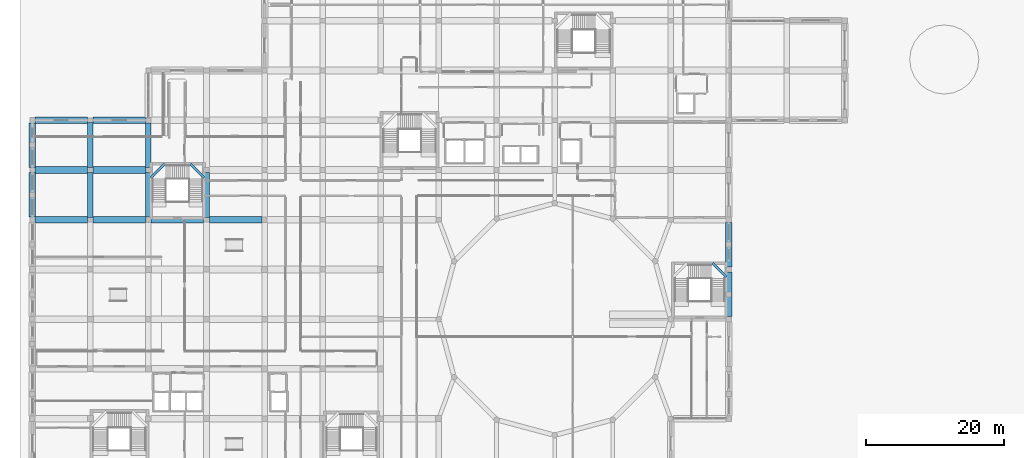
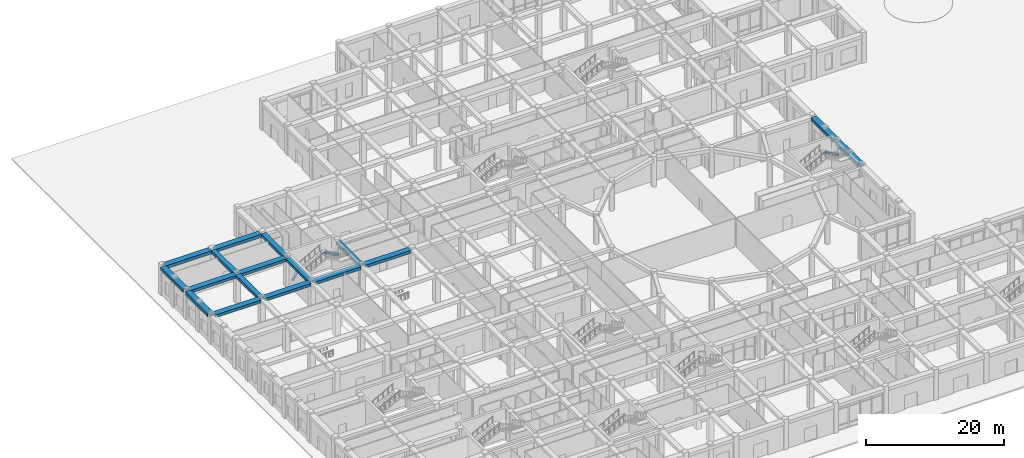
# One storey, part 28 of 84: 20 beams.
"""IFC4 building model written with IfcOpenShell, lengths in metres."""

from ifc_helpers import new_model, si_unit, derived_unit, direction, frame, origin, origin_2d, place, context, subcontext, project, spatial, rectangle, extrude, material, material_profile, profile_set, type_object, element, save


model = new_model("IFC4")

# Units and contexts
model_context = context("Model", 3, precision=1e-05, world=origin(), true_north=direction((0.0, 1.0)))
body_context = subcontext(model_context, "Body", "Model", "MODEL_VIEW")
ifc_project = project(units=[si_unit("LENGTHUNIT", "METRE"), si_unit("AREAUNIT", "SQUARE_METRE"), si_unit("VOLUMEUNIT", "CUBIC_METRE"), si_unit("PLANEANGLEUNIT", "RADIAN"), si_unit("MASSUNIT", "GRAM", prefix="KILO"), derived_unit("THERMALTRANSMITTANCEUNIT", [(si_unit("POWERUNIT", "WATT"), 1), (si_unit("LENGTHUNIT", "METRE"), -2), (si_unit("THERMODYNAMICTEMPERATUREUNIT", "KELVIN"), -1)])], contexts=[model_context])

# Site, building, storey
site_placement = place(None, origin())
site = spatial("IfcSite", under=ifc_project, at=site_placement, CompositionType="ELEMENT")
building_placement = place(site_placement, origin())
building = spatial("IfcBuilding", under=site, at=building_placement, Name="Veybourne Emporium", CompositionType="ELEMENT")
storey_placement = place(building_placement, origin())
storey = spatial("IfcBuildingStorey", under=building, at=storey_placement, Name="L00", CompositionType="ELEMENT", Elevation=0.0)

# Beams
ifc_material = material(Name="Concrete C32/40", Category="concrete")
ifc_material_profile_1 = material_profile(ifc_material, rectangle(XDim=0.35009765625, YDim=0.35009765625, at=origin_2d()), Name="RC 350x350")
ifc_profile_set_1 = profile_set([ifc_material_profile_1], Name="Concrete C32/40")
beam_type_1 = type_object("IfcBeamType", Name="LandingBeam_LB-01", PredefinedType="BEAM", material=ifc_profile_set_1)
for number, where, z_axis, x_axis, name in (
    (1, (98.469970703125, 58.5, 3.22509765625), (0.707106781187, -0.707106781187, 0.0), (0.707106781187, 0.707106781187, 0.0), "L00 ST-07 landing 2 support beam"),
    (2, (17.14990234375, 70.919921875, 1.425048828125), (0.707106781187, 0.707106781187, 0.0), (-0.707106781187, 0.707106781187, 0.0), "L00 ST-08 landing 1 support beam"),
    (3, (22.8701171875, 72.89990234375, 3.22509765625), (0.707106781187, -0.707106781187, 0.0), (0.707106781187, 0.707106781187, 0.0), "L00 ST-08 landing 2 support beam"),
):
    element("IfcBeam", number, at=place(storey_placement, frame(where, z_axis=z_axis, x_axis=x_axis)), inside=storey, type_object=beam_type_1, Name=name, PredefinedType="BEAM", context=body_context, shape_type="SweptSolid", body=[
        extrude(rectangle(XDim=0.35009765625, YDim=0.35009765625, at=origin_2d()), origin(), (0.0, 0.0, 1.0), 2.800048828125),
    ])
ifc_material_profile_2 = material_profile(ifc_material, rectangle(XDim=0.949951171875, YDim=0.5, at=origin_2d()), Name="RC 950x500")
ifc_profile_set_2 = profile_set([ifc_material_profile_2], Name="Concrete C32/40")
beam_type_2 = type_object("IfcBeamType", Name="RCBeam_BB-01", PredefinedType="BEAM", material=ifc_profile_set_2)
for number, where, z_axis, x_axis, name in (
    (4, (0.375, 64.800048828125, 4.830078125), (1.0, 0.0, 0.0), (0.0, 1.0, 0.0), "L00 X-grid beam BB-01 (0,9)"),
    (5, (0.375, 72.0, 4.830078125), (1.0, 0.0, 0.0), (0.0, 1.0, 0.0), "L00 X-grid beam BB-01 (0,10)"),
    (6, (8.800048828125, 64.800048828125, 4.830078125), (1.0, 0.0, 0.0), (0.0, 1.0, 0.0), "L00 X-grid beam BB-01 (1,9)"),
    (7, (8.800048828125, 72.0, 4.830078125), (1.0, 0.0, 0.0), (0.0, 1.0, 0.0), "L00 X-grid beam BB-01 (1,10)"),
    (8, (17.175048828125, 64.800048828125, 4.830078125), (1.0, 0.0, 0.0), (0.0, 1.0, 0.0), "L00 X-grid beam BB-01 (2,9)"),
    (9, (25.60009765625, 64.800048828125, 4.830078125), (1.0, 0.0, 0.0), (0.0, 1.0, 0.0), "L00 X-grid beam BB-01 (3,9)"),
):
    element("IfcBeam", number, at=place(storey_placement, frame(where, z_axis=z_axis, x_axis=x_axis)), inside=storey, type_object=beam_type_2, Name=name, PredefinedType="BEAM", context=body_context, shape_type="SweptSolid", body=[
        extrude(rectangle(XDim=0.949951171875, YDim=0.5, at=origin_2d()), origin(), (0.0, 0.0, 1.0), 7.625),
    ])
ifc_material_profile_3 = material_profile(ifc_material, rectangle(XDim=0.800048828125, YDim=0.5, at=origin_2d()), Name="RC 800x500")
ifc_profile_set_3 = profile_set([ifc_material_profile_3], Name="Concrete C32/40")
beam_type_3 = type_object("IfcBeamType", Name="RCBeam_BB-02", PredefinedType="BEAM", material=ifc_profile_set_3)
for number, where, z_axis, x_axis, name in (
    (10, (8.39990234375, 65.14990234375, 4.830078125), (0.0, 1.0, 0.0), (-1.0, 0.0, 0.0), "L00 Y-grid beam BB-02 (1,9)"),
    (11, (8.39990234375, 72.35009765625, 4.830078125), (0.0, 1.0, 0.0), (-1.0, 0.0, 0.0), "L00 Y-grid beam BB-02 (1,10)"),
):
    element("IfcBeam", number, at=place(storey_placement, frame(where, z_axis=z_axis, x_axis=x_axis)), inside=storey, type_object=beam_type_3, Name=name, PredefinedType="BEAM", context=body_context, shape_type="SweptSolid", body=[
        extrude(rectangle(XDim=0.800048828125, YDim=0.5, at=origin_2d()), origin(), (0.0, 0.0, 1.0), 6.5),
    ])
for number, where, z_axis, x_axis, name in (
    (12, (16.800048828125, 65.175048828125, 4.830078125), (0.0, 1.0, 0.0), (-1.0, 0.0, 0.0), "L00 Y-grid beam BB-02 (2,9)"),
    (13, (16.800048828125, 72.375, 4.830078125), (0.0, 1.0, 0.0), (-1.0, 0.0, 0.0), "L00 Y-grid beam BB-02 (2,10)"),
):
    element("IfcBeam", number, at=place(storey_placement, frame(where, z_axis=z_axis, x_axis=x_axis)), inside=storey, type_object=beam_type_3, Name=name, PredefinedType="BEAM", context=body_context, shape_type="SweptSolid", body=[
        extrude(rectangle(XDim=0.800048828125, YDim=0.5, at=origin_2d()), origin(), (0.0, 0.0, 1.0), 6.449951171875),
    ])
beam_1_placement = place(storey_placement, frame((25.199951171875, 65.14990234375, 4.830078125), z_axis=(0.0, 1.0, 0.0), x_axis=(-1.0, 0.0, 0.0)))
element("IfcBeam", 14, at=beam_1_placement, inside=storey, type_object=beam_type_3, Name="L00 Y-grid beam BB-02 (3,9)", PredefinedType="BEAM", context=body_context, shape_type="SweptSolid", body=[
    extrude(rectangle(XDim=0.800048828125, YDim=0.5, at=origin_2d()), origin(), (0.0, 0.0, 1.0), 6.5),
])
ifc_material_profile_4 = material_profile(ifc_material, rectangle(XDim=0.949951171875, YDim=0.550048828125, at=origin_2d()), Name="RC 950x550")
ifc_profile_set_4 = profile_set([ifc_material_profile_4], Name="Concrete C32/40")
beam_type_4 = type_object("IfcBeamType", Name="RCBeam_EB-01", PredefinedType="SPANDREL", material=ifc_profile_set_4)
for number, where, z_axis, x_axis, name in (
    (15, (0.375, 79.199951171875, 4.804931640625), (1.0, 0.0, 0.0), (0.0, 1.0, 0.0), "L00 X-grid beam EB-01 (0,11)"),
    (16, (8.800048828125, 79.199951171875, 4.804931640625), (1.0, 0.0, 0.0), (0.0, 1.0, 0.0), "L00 X-grid beam EB-01 (1,11)"),
):
    element("IfcBeam", number, at=place(storey_placement, frame(where, z_axis=z_axis, x_axis=x_axis)), inside=storey, type_object=beam_type_4, Name=name, PredefinedType="SPANDREL", context=body_context, shape_type="SweptSolid", body=[
        extrude(rectangle(XDim=0.949951171875, YDim=0.550048828125, at=origin_2d()), origin(), (0.0, 0.0, 1.0), 7.625),
    ])
for number, where, z_axis, x_axis, name in (
    (17, (0.0, 65.175048828125, 4.804931640625), (0.0, 1.0, 0.0), (-1.0, 0.0, 0.0), "L00 Y-grid beam EB-01 (0,9)"),
    (18, (0.0, 72.375, 4.804931640625), (0.0, 1.0, 0.0), (-1.0, 0.0, 0.0), "L00 Y-grid beam EB-01 (0,10)"),
):
    element("IfcBeam", number, at=place(storey_placement, frame(where, z_axis=z_axis, x_axis=x_axis)), inside=storey, type_object=beam_type_4, Name=name, PredefinedType="SPANDREL", context=body_context, shape_type="SweptSolid", body=[
        extrude(rectangle(XDim=0.949951171875, YDim=0.550048828125, at=origin_2d()), origin(), (0.0, 0.0, 1.0), 6.449951171875),
    ])
beam_2_placement = place(storey_placement, frame((100.800048828125, 50.77490234375, 4.804931640625), z_axis=(0.0, 1.0, 0.0), x_axis=(-1.0, 0.0, 0.0)))
element("IfcBeam", 19, at=beam_2_placement, inside=storey, type_object=beam_type_4, Name="L00 Y-grid beam EB-01 (12,7)", PredefinedType="SPANDREL", context=body_context, shape_type="SweptSolid", body=[
    extrude(rectangle(XDim=0.949951171875, YDim=0.550048828125, at=origin_2d()), origin(), (0.0, 0.0, 1.0), 6.4501953125),
])
beam_3_placement = place(storey_placement, frame((100.800048828125, 57.97509765625, 4.804931640625), z_axis=(0.0, 1.0, 0.0), x_axis=(-1.0, 0.0, 0.0)))
element("IfcBeam", 20, at=beam_3_placement, inside=storey, type_object=beam_type_4, Name="L00 Y-grid beam EB-01 (12,8)", PredefinedType="SPANDREL", context=body_context, shape_type="SweptSolid", body=[
    extrude(rectangle(XDim=0.949951171875, YDim=0.550048828125, at=origin_2d()), origin(), (0.0, 0.0, 1.0), 6.449951171875),
])

save(model, "model.ifc")
